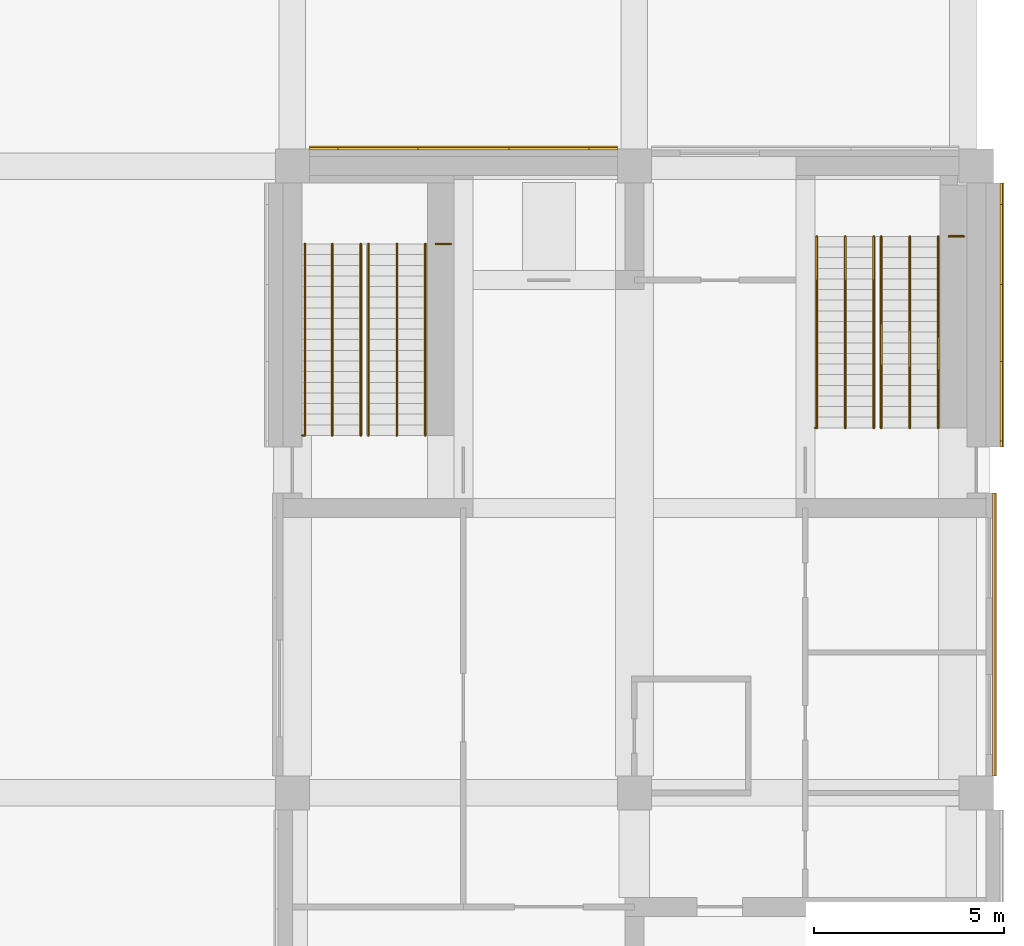
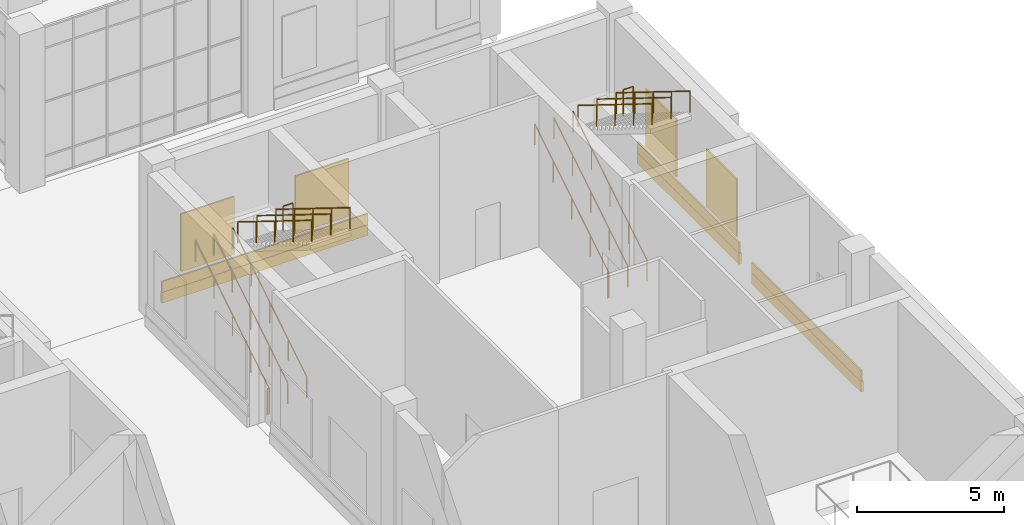
# One storey, part 27 of 35: 16 railings, 10 coverings.
"""IFC4 building model written with IfcOpenShell, lengths in metres."""

import ifcopenshell
import ifcopenshell.guid

model = None  # the IFC model being written
_history = None  # IfcOwnerHistory: only IFC2X3 demands one
_inside = {}  # id of a spatial element -> (the spatial element, [elements in it])
_under = {}  # id of a project, library or spatial element -> (it, [spatial elements below it])
_declared = {}  # id of a project -> (the project, [libraries it declares])
_typed = {}  # id of a type object -> (the type object, [elements of that type])
_made_of = {}  # id of a material, layer set ... -> (it, [elements and type objects made of it])


def new_model(schema):
    """Start an empty IFC model of exactly this schema.

    Asked for "IFC4X3", IfcOpenShell would pick the latest addendum, in which some entities
    have other attributes; the version numbers below select the first issue.
    IFC2X3 requires an IfcOwnerHistory on every rooted entity: one is made here for all.
    """
    global model, _history
    if schema == "IFC4X3":
        model = ifcopenshell.file(schema_version=(4, 3, 0, 0))
    else:
        model = ifcopenshell.file(schema=schema)
    _inside.clear()
    _under.clear()
    _declared.clear()
    _typed.clear()
    _made_of.clear()
    _history = None
    if model.schema == "IFC2X3":
        org = make("IfcOrganization", Name="unknown")
        user = make(
            "IfcPersonAndOrganization",
            ThePerson=make("IfcPerson", FamilyName="unknown"),
            TheOrganization=org,
        )
        app = make(
            "IfcApplication",
            ApplicationDeveloper=org,
            Version="unknown",
            ApplicationFullName="unknown",
            ApplicationIdentifier="unknown",
        )
        _history = make(
            "IfcOwnerHistory",
            OwningUser=user,
            OwningApplication=app,
            ChangeAction="ADDED",
            CreationDate=0,
        )
    return model


def make(cls, **values):
    """One entity of the class cls with the attributes given. An attribute that is None is left unset."""
    return model.create_entity(
        cls, **{name: value for name, value in values.items() if value is not None}
    )


def rooted(cls, **values):
    """An entity with a GlobalId (a new one), such as an element, a storey or a relation."""
    return make(cls, GlobalId=ifcopenshell.guid.new(), OwnerHistory=_history, **values)


def si_unit(unit_type, name, prefix=None):
    """IfcSIUnit, for example si_unit("LENGTHUNIT", "METRE", prefix="MILLI")."""
    return make("IfcSIUnit", UnitType=unit_type, Prefix=prefix, Name=name)


def assignment(units):
    """IfcUnitAssignment: the units of a project."""
    return None if units is None else make("IfcUnitAssignment", Units=units)


def point(xyz):
    """IfcCartesianPoint."""
    return None if xyz is None else make("IfcCartesianPoint", Coordinates=xyz)


def direction(xyz):
    """IfcDirection."""
    return None if xyz is None else make("IfcDirection", DirectionRatios=xyz)


def frame(location, z_axis=None, x_axis=None):
    """IfcAxis2Placement3D, a coordinate frame: its origin and axes. An axis left out is left unset."""
    return make(
        "IfcAxis2Placement3D",
        Location=point(location),
        Axis=direction(z_axis),
        RefDirection=direction(x_axis),
    )


def frame_2d(location, x_axis=None):
    """IfcAxis2Placement2D, a coordinate frame in the plane: its origin and x axis."""
    return make(
        "IfcAxis2Placement2D", Location=point(location), RefDirection=direction(x_axis)
    )


def origin():
    """The frame at (0, 0, 0) with its axes left unset."""
    return frame((0.0, 0.0, 0.0))


def origin_2d():
    """The frame at (0, 0) in the plane with its x axis left unset."""
    return frame_2d((0.0, 0.0))


def place(relative_to, where):
    """IfcLocalPlacement: puts the frame where relative to a parent placement (None: the world)."""
    return make(
        "IfcLocalPlacement", PlacementRelTo=relative_to, RelativePlacement=where
    )


def context(
    kind, dimensions, precision=None, world=None, true_north=None, identifier=None
):
    """IfcGeometricRepresentationContext, for example the 3D "Model" context."""
    return make(
        "IfcGeometricRepresentationContext",
        ContextIdentifier=identifier,
        ContextType=kind,
        CoordinateSpaceDimension=dimensions,
        Precision=precision,
        WorldCoordinateSystem=world,
        TrueNorth=true_north,
    )


def subcontext(parent, identifier, kind, view, scale=None):
    """IfcGeometricRepresentationSubContext, for example "Body" below "Model"."""
    return make(
        "IfcGeometricRepresentationSubContext",
        ContextIdentifier=identifier,
        ContextType=kind,
        ParentContext=parent,
        TargetScale=scale,
        TargetView=view,
    )


def project(units=None, contexts=None):
    """IfcProject with its units and contexts."""
    return rooted(
        "IfcProject",
        Name="project",
        RepresentationContexts=contexts,
        UnitsInContext=assignment(units),
    )


def spatial(cls, under=None, at=None, **own):
    """A site, building, storey or space (cls), placed at a placement, below another one or the project."""
    s = rooted(cls, ObjectPlacement=at, **own)
    if under is not None:
        _under.setdefault(under.id(), (under, []))[1].append(s)
    return s


def profile(cls, at=None, kind="AREA", **sizes):
    """A parametric profile (cls). Its sizes go by their IFC names, for example OverallWidth=200.0."""
    return make(cls, ProfileType=kind, Position=at, **sizes)


def rectangle(**sizes):
    """IfcRectangleProfileDef."""
    return profile("IfcRectangleProfileDef", **sizes)


def circle(**sizes):
    """IfcCircleProfileDef."""
    return profile("IfcCircleProfileDef", **sizes)


def extrude(swept, where, along, depth):
    """IfcExtrudedAreaSolid: the profile swept, set in the frame where, extruded along a direction by depth."""
    return make(
        "IfcExtrudedAreaSolid",
        SweptArea=swept,
        Position=where,
        ExtrudedDirection=direction(along),
        Depth=depth,
    )


def shape(context_of_items, identifier, shape_type, items):
    """IfcShapeRepresentation: the items that make up one representation, for example the "Body"."""
    return make(
        "IfcShapeRepresentation",
        ContextOfItems=context_of_items,
        RepresentationIdentifier=identifier,
        RepresentationType=shape_type,
        Items=items,
    )


def material(Name=None, Category=None):
    """IfcMaterial."""
    return make("IfcMaterial", Name=Name, Category=Category)


def layer(
    of_material, thickness, ventilated=None, Name=None, Category=None, Priority=None
):
    """IfcMaterialLayer: one layer of a wall or slab, of a material (None: an air gap)."""
    return make(
        "IfcMaterialLayer",
        Material=of_material,
        LayerThickness=thickness,
        IsVentilated=ventilated,
        Name=Name,
        Category=Category,
        Priority=Priority,
    )


def layer_set(layers, Name=None):
    """IfcMaterialLayerSet."""
    return make("IfcMaterialLayerSet", MaterialLayers=layers, LayerSetName=Name)


def made_of(thing, what):
    """Note that an element or type object is made of a material, layer set ...; save() writes the relation."""
    if what is not None:
        _made_of.setdefault(what.id(), (what, []))[1].append(thing)
    return thing


def type_object(cls, material=None, **own):
    """A type object (cls), such as IfcWallType, which elements share."""
    return made_of(rooted(cls, **own), material)


def element(
    cls,
    number,
    at=None,
    inside=None,
    cuts=None,
    type_object=None,
    material=None,
    context=None,
    identifier="Body",
    shape_type=None,
    held_by="IfcProductDefinitionShape",
    body=None,
    shapes=None,
    **own,
):
    """One element of the class cls, such as IfcWall. Its Tag is "e" and its number.

    at: its placement. inside: the storey or other place that contains it. cuts: it is an
    opening in that element (IfcRelVoidsElement). A single representation is given by context,
    identifier, shape_type and body (its items); several are given by shapes. held_by: the class
    of the entity that holds the representations. save() writes the other relations.
    """
    e = rooted(cls, Tag="e%d" % number, ObjectPlacement=at, **own)
    if body is not None:
        shapes = [shape(context, identifier, shape_type, body)]
    if shapes is not None:
        e.Representation = make(held_by, Representations=shapes)
    if inside is not None:
        _inside.setdefault(inside.id(), (inside, []))[1].append(e)
    if cuts is not None:
        rooted(
            "IfcRelVoidsElement", RelatingBuildingElement=cuts, RelatedOpeningElement=e
        )
    if type_object is not None:
        _typed.setdefault(type_object.id(), (type_object, []))[1].append(e)
    return made_of(e, material)


def aggregate(whole, parts):
    """IfcRelAggregates: a whole, such as a stair, and the parts it consists of."""
    return rooted("IfcRelAggregates", RelatingObject=whole, RelatedObjects=parts)


def save(model, path):
    """Write the relations noted so far, then the file.

    IfcRelAggregates (storeys below a building ...), IfcRelContainedInSpatialStructure (elements
    in a storey), IfcRelDefinesByType, IfcRelAssociatesMaterial and IfcRelDeclares: one each for
    every whole, place, type object, material and project.
    """
    for whole, parts in _under.values():
        aggregate(whole, parts)
    for where, things in _inside.values():
        rooted(
            "IfcRelContainedInSpatialStructure",
            RelatedElements=things,
            RelatingStructure=where,
        )
    for kind, things in _typed.values():
        rooted("IfcRelDefinesByType", RelatedObjects=things, RelatingType=kind)
    for what, things in _made_of.values():
        rooted("IfcRelAssociatesMaterial", RelatedObjects=things, RelatingMaterial=what)
    for by, libraries in _declared.values():
        rooted("IfcRelDeclares", RelatingContext=by, RelatedDefinitions=libraries)
    model.write(path)


model = new_model("IFC4")

# Units and contexts
model_context = context("Model", 3, precision=1e-05, world=origin(), true_north=direction((0.0, 1.0)))
body_context = subcontext(model_context, "Body", "Model", "MODEL_VIEW")
ifc_project = project(units=[si_unit("LENGTHUNIT", "METRE"), si_unit("AREAUNIT", "SQUARE_METRE"), si_unit("VOLUMEUNIT", "CUBIC_METRE"), si_unit("PLANEANGLEUNIT", "RADIAN"), si_unit("MASSUNIT", "GRAM", prefix="KILO")], contexts=[model_context])

# Site, building, storey
site_placement = place(None, origin())
site = spatial("IfcSite", under=ifc_project, at=site_placement, CompositionType="ELEMENT")
building_placement = place(site_placement, origin())
building = spatial("IfcBuilding", under=site, at=building_placement, Name="Aurelan Courthouse", CompositionType="ELEMENT")
storey_placement = place(building_placement, origin())
storey = spatial("IfcBuildingStorey", under=building, at=storey_placement, Name="L00", CompositionType="ELEMENT", Elevation=0.0)

# Coverings
ifc_material_1 = material(Name="Bronze sheet cladding")
ifc_layer = layer(ifc_material_1, 0.06005859375)
ifc_layer_set = layer_set([ifc_layer], Name="Bronze sheet cladding")
covering_type_1 = type_object("IfcCoveringType", Name="Public Hall and Registry blind bay 2100 x 2400", PredefinedType="CLADDING", material=ifc_layer_set)
for number, where, z_axis, x_axis, name in (
    (1, (74.25, 28.9599609375, 1.050048828125), (0.0, 0.0, 1.0), (1.0, 0.0, 0.0), "Blind bay BB-V4-L00-003"),
    (2, (78.75, 28.9599609375, 1.050048828125), (0.0, 0.0, 1.0), (1.0, 0.0, 0.0), "Blind bay BB-V4-L00-004"),
):
    element("IfcCovering", number, at=place(storey_placement, frame(where, z_axis=z_axis, x_axis=x_axis)), inside=storey, type_object=covering_type_1, Name=name, PredefinedType="CLADDING", context=body_context, shape_type="SweptSolid", body=[
        extrude(rectangle(XDim=2.10009765625, YDim=0.06005859375, at=origin_2d()), origin(), (0.0, 0.0, 1.0), 2.39990234375),
    ])
for number, where, z_axis, x_axis, name in (
    (3, (90.659912109375, 22.3125, 1.050048828125), (0.0, 0.0, 1.0), (1.0, 0.0, 0.0), "Blind bay BB-V4-L00-008"),
    (4, (90.659912109375, 26.4375, 1.050048828125), (0.0, 0.0, 1.0), (1.0, 0.0, 0.0), "Blind bay BB-V4-L00-009"),
):
    element("IfcCovering", number, at=place(storey_placement, frame(where, z_axis=z_axis, x_axis=x_axis)), inside=storey, type_object=covering_type_1, Name=name, PredefinedType="CLADDING", context=body_context, shape_type="SweptSolid", body=[
        extrude(rectangle(XDim=0.06005859375, YDim=2.10009765625, at=origin_2d()), origin(), (0.0, 0.0, 1.0), 2.39990234375),
    ])
ifc_material_2 = material(Name="Granite cladding", Category="masonry")
covering_type_2 = type_object("IfcCoveringType", Name="Public Hall and Registry rusticated plinth course 450 x 100", PredefinedType="CLADDING", material=ifc_material_2)
covering_1_placement = place(storey_placement, frame((90.47998046875, 16.175048828125, 0.0), z_axis=(0.0, 0.0, 1.0), x_axis=(1.0, 0.0, 0.0)))
element("IfcCovering", 5, at=covering_1_placement, inside=storey, type_object=covering_type_2, Name="Plinth course PLC-V4-017", PredefinedType="CLADDING", context=body_context, shape_type="SweptSolid", body=[
    extrude(rectangle(XDim=0.10009765625, YDim=7.449951171875, at=origin_2d()), origin(), (0.0, 0.0, 1.0), 0.449951171875),
])
covering_2_placement = place(storey_placement, frame((90.4599609375, 16.175048828125, 0.4501953125), z_axis=(0.0, 0.0, 1.0), x_axis=(1.0, 0.0, 0.0)))
element("IfcCovering", 6, at=covering_2_placement, inside=storey, type_object=covering_type_2, Name="Plinth course PLC-V4-018", PredefinedType="CLADDING", context=body_context, shape_type="SweptSolid", body=[
    extrude(rectangle(XDim=0.06005859375, YDim=7.449951171875, at=origin_2d()), origin(), (0.0, 0.0, 1.0), 0.449951171875),
])
covering_3_placement = place(storey_placement, frame((90.679931640625, 24.574951171875, 0.0), z_axis=(0.0, 0.0, 1.0), x_axis=(1.0, 0.0, 0.0)))
element("IfcCovering", 7, at=covering_3_placement, inside=storey, type_object=covering_type_2, Name="Plinth course PLC-V4-021", PredefinedType="CLADDING", context=body_context, shape_type="SweptSolid", body=[
    extrude(rectangle(XDim=0.10009765625, YDim=6.949951171875, at=origin_2d()), origin(), (0.0, 0.0, 1.0), 0.449951171875),
])
covering_4_placement = place(storey_placement, frame((90.659912109375, 24.574951171875, 0.4501953125), z_axis=(0.0, 0.0, 1.0), x_axis=(1.0, 0.0, 0.0)))
element("IfcCovering", 8, at=covering_4_placement, inside=storey, type_object=covering_type_2, Name="Plinth course PLC-V4-022", PredefinedType="CLADDING", context=body_context, shape_type="SweptSolid", body=[
    extrude(rectangle(XDim=0.06005859375, YDim=6.949951171875, at=origin_2d()), origin(), (0.0, 0.0, 1.0), 0.449951171875),
])
covering_5_placement = place(storey_placement, frame((76.5, 28.97998046875, 0.0), z_axis=(0.0, 0.0, 1.0), x_axis=(1.0, 0.0, 0.0)))
element("IfcCovering", 9, at=covering_5_placement, inside=storey, type_object=covering_type_2, Name="Plinth course PLC-V4-023", PredefinedType="CLADDING", context=body_context, shape_type="SweptSolid", body=[
    extrude(rectangle(XDim=8.10009765625, YDim=0.10009765625, at=origin_2d()), origin(), (0.0, 0.0, 1.0), 0.449951171875),
])
covering_6_placement = place(storey_placement, frame((76.5, 28.9599609375, 0.4501953125), z_axis=(0.0, 0.0, 1.0), x_axis=(1.0, 0.0, 0.0)))
element("IfcCovering", 10, at=covering_6_placement, inside=storey, type_object=covering_type_2, Name="Plinth course PLC-V4-024", PredefinedType="CLADDING", context=body_context, shape_type="SweptSolid", body=[
    extrude(rectangle(XDim=8.10009765625, YDim=0.06005859375, at=origin_2d()), origin(), (0.0, 0.0, 1.0), 0.449951171875),
])

# Railings
ifc_material_3 = material(Name="Steel S355", Category="steel")
railing_type_1 = type_object("IfcRailingType", Name="Stair guard 1100", PredefinedType="GUARDRAIL", material=ifc_material_3)
railing_1_placement = place(storey_placement, frame((72.330078125, 21.409912109375, 0.0)))
element("IfcRailing", 11, at=railing_1_placement, inside=storey, type_object=railing_type_1, Name="Guard ST-4A-L00-H1-C", PredefinedType="GUARDRAIL", context=body_context, shape_type="SweptSolid", body=[
    extrude(circle(Radius=0.02392578125, at=origin_2d()), frame((0.0, 0.0, 1.076171875), z_axis=(-1.0, 0.0, 0.0), x_axis=(0.0, -1.0, 0.0)), (0.0, 0.0, 1.0), 0.080078125),
    extrude(circle(Radius=0.02099609375, at=origin_2d()), origin(), (0.0, 0.0, 1.0), 1.052001953125),
    extrude(circle(Radius=0.02099609375, at=origin_2d()), frame((-0.080078125, 0.0, 0.0)), (0.0, 0.0, 1.0), 1.052001953125),
])
railing_2_placement = place(storey_placement, frame((76.169921875, 26.449951171875, 3.300048828125)))
element("IfcRailing", 12, at=railing_2_placement, inside=storey, type_object=railing_type_1, Name="Guard ST-4A-L00-GL1", PredefinedType="GUARDRAIL", context=body_context, shape_type="SweptSolid", body=[
    extrude(circle(Radius=0.02392578125, at=origin_2d()), frame((0.0, 0.0, 1.076171875), z_axis=(-1.0, 0.0, 0.0), x_axis=(0.0, -1.0, 0.0)), (0.0, 0.0, 1.0), 0.389892578125),
    extrude(circle(Radius=0.02099609375, at=origin_2d()), origin(), (0.0, 0.0, 1.0), 1.052001953125),
    extrude(circle(Radius=0.02099609375, at=origin_2d()), frame((-0.389892578125, 0.0, 0.0)), (0.0, 0.0, 1.0), 1.052001953125),
])
railing_3_placement = place(storey_placement, frame((85.800048828125, 21.610107421875, 0.0)))
element("IfcRailing", 13, at=railing_3_placement, inside=storey, type_object=railing_type_1, Name="Guard ST-4B-L00-H1-C", PredefinedType="GUARDRAIL", context=body_context, shape_type="SweptSolid", body=[
    extrude(circle(Radius=0.02392578125, at=origin_2d()), frame((0.0, 0.0, 1.076171875), z_axis=(-1.0, 0.0, 0.0), x_axis=(0.0, -1.0, 0.0)), (0.0, 0.0, 1.0), 0.050048828125),
    extrude(circle(Radius=0.02099609375, at=origin_2d()), origin(), (0.0, 0.0, 1.0), 1.052001953125),
    extrude(circle(Radius=0.02099609375, at=origin_2d()), frame((-0.050048828125, 0.0, 0.0)), (0.0, 0.0, 1.0), 1.052001953125),
])
railing_4_placement = place(storey_placement, frame((89.669921875, 26.64990234375, 3.300048828125)))
element("IfcRailing", 14, at=railing_4_placement, inside=storey, type_object=railing_type_1, Name="Guard ST-4B-L00-GL1", PredefinedType="GUARDRAIL", context=body_context, shape_type="SweptSolid", body=[
    extrude(circle(Radius=0.02392578125, at=origin_2d()), frame((0.0, 0.0, 1.076171875), z_axis=(-1.0, 0.0, 0.0), x_axis=(0.0, -1.0, 0.0)), (0.0, 0.0, 1.0), 0.389892578125),
    extrude(circle(Radius=0.02099609375, at=origin_2d()), origin(), (0.0, 0.0, 1.0), 1.052001953125),
    extrude(circle(Radius=0.02099609375, at=origin_2d()), frame((-0.389892578125, 0.0, 0.0)), (0.0, 0.0, 1.0), 1.052001953125),
])
railing_type_2 = type_object("IfcRailingType", Name="Stair handrail 900", PredefinedType="HANDRAIL", material=ifc_material_3)
for number, where, name in (
    (15, (72.330078125, 21.409912109375, 0.173583984375), "Handrail ST-4A-L00-H1"),
    (16, (73.800048828125, 21.409912109375, 0.173583984375), "Handrail ST-4A-L00-H2"),
    (17, (73.050048828125, 21.409912109375, 0.173583984375), "Handrail ST-4A-L00-H3"),
):
    element("IfcRailing", number, at=place(storey_placement, frame(where)), inside=storey, type_object=railing_type_2, Name=name, PredefinedType="HANDRAIL", context=body_context, shape_type="SweptSolid", body=[
        extrude(circle(Radius=0.02392578125, at=origin_2d()), frame((0.0, 0.0, 0.8759765625), z_axis=(0.0, 0.849778785312, 0.527139465448), x_axis=(-1.0, 0.0, 0.0)), (0.0, 0.0, 1.0), 5.930908203125),
        extrude(circle(Radius=0.02099609375, at=origin_2d()), origin(), (0.0, 0.0, 1.0), 0.851806640625),
        extrude(circle(Radius=0.02099609375, at=origin_2d()), frame((0.0, 1.260009765625, 0.78173828125)), (0.0, 0.0, 1.0), 0.851806640625),
        extrude(circle(Radius=0.02099609375, at=origin_2d()), frame((0.0, 2.52001953125, 1.563232421875)), (0.0, 0.0, 1.0), 0.851806640625),
        extrude(circle(Radius=0.02099609375, at=origin_2d()), frame((0.0, 3.780029296875, 2.3447265625)), (0.0, 0.0, 1.0), 0.851806640625),
        extrude(circle(Radius=0.02099609375, at=origin_2d()), frame((0.0, 5.0400390625, 3.12646484375)), (0.0, 0.0, 1.0), 0.851806640625),
    ])
for number, where, name in (
    (18, (74.0, 26.449951171875, 3.4736328125), "Handrail ST-4A-L00-H4"),
    (19, (75.5, 26.449951171875, 3.4736328125), "Handrail ST-4A-L00-H5"),
    (20, (74.75, 26.449951171875, 3.4736328125), "Handrail ST-4A-L00-H6"),
):
    element("IfcRailing", number, at=place(storey_placement, frame(where)), inside=storey, type_object=railing_type_2, Name=name, PredefinedType="HANDRAIL", context=body_context, shape_type="SweptSolid", body=[
        extrude(circle(Radius=0.02392578125, at=origin_2d()), frame((0.0, 0.0, 0.8759765625), z_axis=(0.0, -0.849778785312, 0.527139465448), x_axis=(1.0, 0.0, 0.0)), (0.0, 0.0, 1.0), 5.930908203125),
        extrude(circle(Radius=0.02099609375, at=origin_2d()), origin(), (0.0, 0.0, 1.0), 0.851806640625),
        extrude(circle(Radius=0.02099609375, at=origin_2d()), frame((0.0, -1.260009765625, 0.78173828125)), (0.0, 0.0, 1.0), 0.851806640625),
        extrude(circle(Radius=0.02099609375, at=origin_2d()), frame((0.0, -2.52001953125, 1.563232421875)), (0.0, 0.0, 1.0), 0.851806640625),
        extrude(circle(Radius=0.02099609375, at=origin_2d()), frame((0.0, -3.780029296875, 2.3447265625)), (0.0, 0.0, 1.0), 0.851806640625),
        extrude(circle(Radius=0.02099609375, at=origin_2d()), frame((0.0, -5.0400390625, 3.12646484375)), (0.0, 0.0, 1.0), 0.851806640625),
    ])
for number, where, name in (
    (21, (85.800048828125, 21.610107421875, 0.173583984375), "Handrail ST-4B-L00-H1"),
    (22, (87.300048828125, 21.610107421875, 0.173583984375), "Handrail ST-4B-L00-H2"),
    (23, (86.550048828125, 21.610107421875, 0.173583984375), "Handrail ST-4B-L00-H3"),
):
    element("IfcRailing", number, at=place(storey_placement, frame(where)), inside=storey, type_object=railing_type_2, Name=name, PredefinedType="HANDRAIL", context=body_context, shape_type="SweptSolid", body=[
        extrude(circle(Radius=0.02392578125, at=origin_2d()), frame((0.0, 0.0, 0.8759765625), z_axis=(0.0, 0.84976734637, 0.527157905227), x_axis=(-1.0, 0.0, 0.0)), (0.0, 0.0, 1.0), 5.930908203125),
        extrude(circle(Radius=0.02099609375, at=origin_2d()), origin(), (0.0, 0.0, 1.0), 0.851806640625),
        extrude(circle(Radius=0.02099609375, at=origin_2d()), frame((0.0, 1.260009765625, 0.78173828125)), (0.0, 0.0, 1.0), 0.851806640625),
        extrude(circle(Radius=0.02099609375, at=origin_2d()), frame((0.0, 2.52001953125, 1.563232421875)), (0.0, 0.0, 1.0), 0.851806640625),
        extrude(circle(Radius=0.02099609375, at=origin_2d()), frame((0.0, 3.77978515625, 2.3447265625)), (0.0, 0.0, 1.0), 0.851806640625),
        extrude(circle(Radius=0.02099609375, at=origin_2d()), frame((0.0, 5.039794921875, 3.12646484375)), (0.0, 0.0, 1.0), 0.851806640625),
    ])
for number, where, name in (
    (24, (87.5, 26.64990234375, 3.4736328125), "Handrail ST-4B-L00-H4"),
    (25, (89.0, 26.64990234375, 3.4736328125), "Handrail ST-4B-L00-H5"),
    (26, (88.25, 26.64990234375, 3.4736328125), "Handrail ST-4B-L00-H6"),
):
    element("IfcRailing", number, at=place(storey_placement, frame(where)), inside=storey, type_object=railing_type_2, Name=name, PredefinedType="HANDRAIL", context=body_context, shape_type="SweptSolid", body=[
        extrude(circle(Radius=0.02392578125, at=origin_2d()), frame((0.0, 0.0, 0.8759765625), z_axis=(0.0, -0.84976734637, 0.527157905227), x_axis=(1.0, 0.0, 0.0)), (0.0, 0.0, 1.0), 5.930908203125),
        extrude(circle(Radius=0.02099609375, at=origin_2d()), origin(), (0.0, 0.0, 1.0), 0.851806640625),
        extrude(circle(Radius=0.02099609375, at=origin_2d()), frame((0.0, -1.260009765625, 0.78173828125)), (0.0, 0.0, 1.0), 0.851806640625),
        extrude(circle(Radius=0.02099609375, at=origin_2d()), frame((0.0, -2.52001953125, 1.563232421875)), (0.0, 0.0, 1.0), 0.851806640625),
        extrude(circle(Radius=0.02099609375, at=origin_2d()), frame((0.0, -3.77978515625, 2.3447265625)), (0.0, 0.0, 1.0), 0.851806640625),
        extrude(circle(Radius=0.02099609375, at=origin_2d()), frame((0.0, -5.039794921875, 3.12646484375)), (0.0, 0.0, 1.0), 0.851806640625),
    ])

save(model, "model.ifc")
